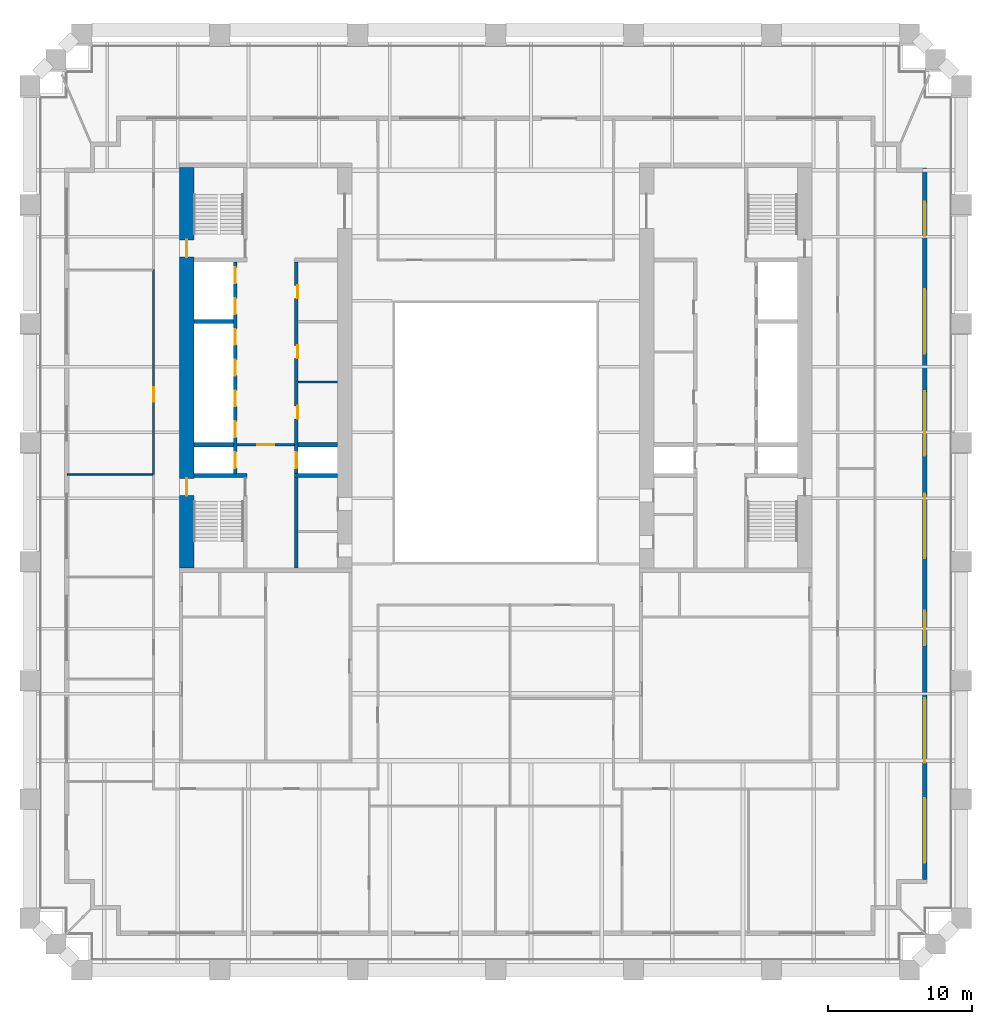
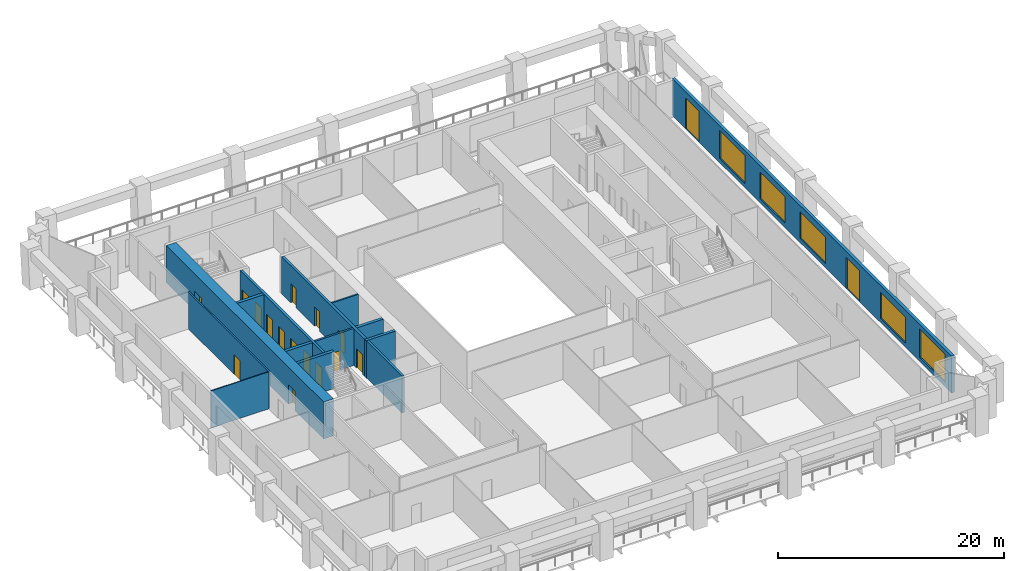
# One storey, part 5 of 9: 17 doors, 13 walls, 5 windows, 22 openings.
"""IFC4 building model written with IfcOpenShell, lengths in metres."""

from ifc_helpers import new_model, si_unit, direction, frame, frame_2d, origin, place, context, subcontext, project, spatial, rectangle, extrude, material, layer, layer_set, type_object, element, fill, save


model = new_model("IFC4")

# Units and contexts
model_context = context("Model", 3, precision=1e-05, world=origin(), true_north=direction((0.0, 1.0)))
body_context = subcontext(model_context, "Body", "Model", "MODEL_VIEW")
ifc_project = project(units=[si_unit("LENGTHUNIT", "METRE"), si_unit("AREAUNIT", "SQUARE_METRE"), si_unit("VOLUMEUNIT", "CUBIC_METRE"), si_unit("PLANEANGLEUNIT", "RADIAN"), si_unit("MASSUNIT", "GRAM", prefix="KILO")], contexts=[model_context])

# Site, building, storey
site_placement = place(None, origin())
site = spatial("IfcSite", under=ifc_project, at=site_placement, CompositionType="ELEMENT")
building_placement = place(site_placement, origin())
building = spatial("IfcBuilding", under=site, at=building_placement, Name="Ogive Exchange Tower", CompositionType="ELEMENT")
storey_placement = place(building_placement, frame((0.0, 0.0, 69.0)))
storey = spatial("IfcBuildingStorey", under=building, at=storey_placement, Name="L14", CompositionType="ELEMENT", Elevation=69.0)

# Wall
ifc_material_1 = material(Name="Gypsum board partition")
ifc_layer_1 = layer(ifc_material_1, 0.14990234375)
ifc_layer_set_1 = layer_set([ifc_layer_1], Name="Core room partition 150 gypsum")
wall_type_1 = type_object("IfcWallType", Name="Core room partition 150 gypsum", PredefinedType="PARTITIONING", material=ifc_layer_set_1)
wall_1_placement = place(storey_placement, frame((-13.75, 10.5, 0.0), z_axis=(0.0, 0.0, 1.0), x_axis=(1.0, 0.0, 0.0)))
element("IfcWall", 1, at=wall_1_placement, inside=storey, type_object=wall_type_1, Name="W row B bay partition 1-1", PredefinedType="PARTITIONING", context=body_context, shape_type="SweptSolid", body=[
    extrude(rectangle(XDim=2.75, YDim=0.14990234375, at=frame_2d((1.375, 0.0))), origin(), (0.0, 0.0, 1.0), 4.0),
])

# Wall, opening, door
ifc_material_2 = material(Name="Fire partition EI 60 150")
ifc_layer_2 = layer(ifc_material_2, 0.14990234375)
ifc_layer_set_2 = layer_set([ifc_layer_2], Name="Fire partition EI 60 150")
wall_type_2 = type_object("IfcWallType", Name="Fire partition EI 60 150", PredefinedType="PARTITIONING", material=ifc_layer_set_2)
wall_2_placement = place(storey_placement, frame((-23.800048828125, 4.06005859375, 0.0), z_axis=(0.0, 0.0, 1.0), x_axis=(0.0, 1.0, 0.0)))
wall_2 = element("IfcWall", 2, at=wall_2_placement, inside=storey, type_object=wall_type_2, Name="L14-PWL-009", PredefinedType="PARTITIONING", context=body_context, shape_type="SweptSolid", body=[
    extrude(rectangle(XDim=14.280029296875, YDim=0.14990234375, at=frame_2d((7.14013671875, 0.0))), origin(), (0.0, 0.0, 1.0), 4.0),
])
opening_1_placement = place(wall_2_placement, frame((5.080078125, 0.0, 0.0)))
opening_1 = element("IfcOpeningElement", 3, at=opening_1_placement, cuts=wall_2, Name="Opening L14-I13", PredefinedType="OPENING", context=body_context, shape_type="SweptSolid", body=[
    extrude(rectangle(XDim=1.0, YDim=2.10009765625, at=frame_2d((0.5, 1.050048828125))), frame((0.0, 0.0849609375, 0.0), z_axis=(0.0, -1.0, 0.0), x_axis=(1.0, 0.0, 0.0)), (0.0, 0.0, 1.0), 0.169921875),
])
ifc_material_3 = material(Name="Fire door FD 30S 1000 x 2100")
door_type_1 = type_object("IfcDoorType", Name="Fire door FD 30S 1000 x 2100", OperationType="NOTDEFINED", PredefinedType="DOOR", material=ifc_material_3)
door_1_placement = place(opening_1_placement, origin())
door_1 = element("IfcDoor", 4, at=door_1_placement, inside=storey, type_object=door_type_1, Name="L14-IDR-013", ObjectType="DT3", OperationType="SINGLE_SWING_LEFT", OverallHeight=2.10009765625, OverallWidth=1.0, PredefinedType="DOOR", context=body_context, shape_type="SweptSolid", body=[
    extrude(rectangle(XDim=1.0, YDim=2.10009765625, at=frame_2d((0.5, 1.050048828125))), frame((0.0, 0.02490234375, 0.0), z_axis=(0.0, -1.0, 0.0), x_axis=(1.0, 0.0, 0.0)), (0.0, 0.0, 1.0), 0.050048828125),
])
fill(opening_1, door_1)

# Wall, openings, doors, windows
ifc_material_4 = material(Name="Precast concrete C40/50", Category="concrete")
ifc_layer_3 = layer(ifc_material_4, 0.300048828125)
ifc_layer_set_3 = layer_set([ifc_layer_3], Name="Limestone-faced wall 300")
wall_type_3 = type_object("IfcWallType", Name="Limestone-faced wall 300", PredefinedType="STANDARD", material=ifc_layer_set_3)
wall_3_placement = place(storey_placement, frame((29.85009765625, -24.10009765625, 0.0), z_axis=(0.0, 0.0, 1.0), x_axis=(0.0, 1.0, 0.0)))
wall_3 = element("IfcWall", 5, at=wall_3_placement, inside=storey, type_object=wall_type_3, Name="External wall E2", PredefinedType="STANDARD", context=body_context, shape_type="SweptSolid", body=[
    extrude(rectangle(XDim=49.5, YDim=0.300048828125, at=frame_2d((24.75, 0.0))), origin(), (0.0, 0.0, 1.0), 4.0),
])
opening_2_placement = place(wall_3_placement, frame((1.156982421875, 0.0, 0.449951171875)))
opening_2 = element("IfcOpeningElement", 6, at=opening_2_placement, cuts=wall_3, Name="Opening W1", PredefinedType="OPENING", context=body_context, shape_type="SweptSolid", body=[
    extrude(rectangle(XDim=4.5, YDim=3.050048828125, at=frame_2d((2.25, 1.52490234375))), frame((0.0, 0.159912109375, 0.0), z_axis=(0.0, -1.0, 0.0), x_axis=(1.0, 0.0, 0.0)), (0.0, 0.0, 1.0), 0.320068359375),
])
opening_3_placement = place(wall_3_placement, frame((8.121337890625, 0.0, 0.449951171875)))
opening_3 = element("IfcOpeningElement", 7, at=opening_3_placement, cuts=wall_3, Name="Opening W1E", PredefinedType="OPENING", context=body_context, shape_type="SweptSolid", body=[
    extrude(rectangle(XDim=4.5, YDim=2.824951171875, at=frame_2d((2.25, 1.41259765625))), frame((0.0, 0.159912109375, 0.0), z_axis=(0.0, -1.0, 0.0), x_axis=(1.0, 0.0, 0.0)), (0.0, 0.0, 1.0), 0.320068359375),
])
opening_4_placement = place(wall_3_placement, frame((16.28564453125, 0.0, 0.0)))
opening_4 = element("IfcOpeningElement", 8, at=opening_4_placement, cuts=wall_3, Name="Opening D1C", PredefinedType="OPENING", context=body_context, shape_type="SweptSolid", body=[
    extrude(rectangle(XDim=2.39990234375, YDim=3.324951171875, at=frame_2d((1.199951171875, 1.66259765625))), frame((0.0, 0.159912109375, 0.0), z_axis=(0.0, -1.0, 0.0), x_axis=(1.0, 0.0, 0.0)), (0.0, 0.0, 1.0), 0.320068359375),
])
opening_5_placement = place(wall_3_placement, frame((22.35009765625, 0.0, 0.449951171875)))
opening_5 = element("IfcOpeningElement", 9, at=opening_5_placement, cuts=wall_3, Name="Opening W1D", PredefinedType="OPENING", context=body_context, shape_type="SweptSolid", body=[
    extrude(rectangle(XDim=4.5, YDim=2.875, at=frame_2d((2.25, 1.4375))), frame((0.0, 0.159912109375, 0.0), z_axis=(0.0, -1.0, 0.0), x_axis=(1.0, 0.0, 0.0)), (0.0, 0.0, 1.0), 0.320068359375),
])
opening_6_placement = place(wall_3_placement, frame((29.464111328125, 0.0, 0.449951171875)))
opening_6 = element("IfcOpeningElement", 10, at=opening_6_placement, cuts=wall_3, Name="Opening W1D", PredefinedType="OPENING", context=body_context, shape_type="SweptSolid", body=[
    extrude(rectangle(XDim=4.5, YDim=2.875, at=frame_2d((2.25, 1.4375))), frame((0.0, 0.159912109375, 0.0), z_axis=(0.0, -1.0, 0.0), x_axis=(1.0, 0.0, 0.0)), (0.0, 0.0, 1.0), 0.320068359375),
])
opening_7_placement = place(wall_3_placement, frame((36.57861328125, 0.0, 0.449951171875)))
opening_7 = element("IfcOpeningElement", 11, at=opening_7_placement, cuts=wall_3, Name="Opening W1", PredefinedType="OPENING", context=body_context, shape_type="SweptSolid", body=[
    extrude(rectangle(XDim=4.5, YDim=3.050048828125, at=frame_2d((2.25, 1.52490234375))), frame((0.0, 0.159912109375, 0.0), z_axis=(0.0, -1.0, 0.0), x_axis=(1.0, 0.0, 0.0)), (0.0, 0.0, 1.0), 0.320068359375),
])
opening_8_placement = place(wall_3_placement, frame((44.742919921875, 0.0, 0.0)))
opening_8 = element("IfcOpeningElement", 12, at=opening_8_placement, cuts=wall_3, Name="Opening D1C", PredefinedType="OPENING", context=body_context, shape_type="SweptSolid", body=[
    extrude(rectangle(XDim=2.39990234375, YDim=3.324951171875, at=frame_2d((1.199951171875, 1.66259765625))), frame((0.0, 0.159912109375, 0.0), z_axis=(0.0, -1.0, 0.0), x_axis=(1.0, 0.0, 0.0)), (0.0, 0.0, 1.0), 0.320068359375),
])
ifc_material_5 = material(Name="Clear glass in bronze frame", Category="glass")
door_type_2 = type_object("IfcDoorType", Name="Sliding loggia door 2400 x 3325", OperationType="DOUBLE_DOOR_SLIDING", PredefinedType="DOOR", material=ifc_material_5)
door_2_placement = place(opening_4_placement, origin())
door_2 = element("IfcDoor", 13, at=door_2_placement, inside=storey, type_object=door_type_2, Name="Loggia door E02", OperationType="DOUBLE_DOOR_SLIDING", OverallHeight=3.324951171875, OverallWidth=2.39990234375, PredefinedType="DOOR", context=body_context, shape_type="SweptSolid", body=[
    extrude(rectangle(XDim=2.39990234375, YDim=3.324951171875, at=frame_2d((1.199951171875, 1.66259765625))), frame((0.0, 0.02490234375, 0.0), z_axis=(0.0, -1.0, 0.0), x_axis=(1.0, 0.0, 0.0)), (0.0, 0.0, 1.0), 0.050048828125),
])
fill(opening_4, door_2)
door_3_placement = place(opening_8_placement, origin())
door_3 = element("IfcDoor", 14, at=door_3_placement, inside=storey, type_object=door_type_2, Name="Loggia door E06", OperationType="DOUBLE_DOOR_SLIDING", OverallHeight=3.324951171875, OverallWidth=2.39990234375, PredefinedType="DOOR", context=body_context, shape_type="SweptSolid", body=[
    extrude(rectangle(XDim=2.39990234375, YDim=3.324951171875, at=frame_2d((1.199951171875, 1.66259765625))), frame((0.0, 0.02490234375, 0.0), z_axis=(0.0, -1.0, 0.0), x_axis=(1.0, 0.0, 0.0)), (0.0, 0.0, 1.0), 0.050048828125),
])
fill(opening_8, door_3)
window_type_1 = type_object("IfcWindowType", Name="Twin lancet window 4500 x 2825", PartitioningType="DOUBLE_PANEL_VERTICAL", PredefinedType="WINDOW", material=ifc_material_5)
window_1_placement = place(opening_3_placement, origin())
window_1 = element("IfcWindow", 15, at=window_1_placement, inside=storey, type_object=window_type_1, Name="Window E01", OverallHeight=2.824951171875, OverallWidth=4.5, PartitioningType="DOUBLE_PANEL_VERTICAL", PredefinedType="WINDOW", context=body_context, shape_type="SweptSolid", body=[
    extrude(rectangle(XDim=4.5, YDim=2.824951171875, at=frame_2d((2.25, 1.41259765625))), frame((0.0, 0.030029296875, 0.0), z_axis=(0.0, -1.0, 0.0), x_axis=(1.0, 0.0, 0.0)), (0.0, 0.0, 1.0), 0.06005859375),
])
fill(opening_3, window_1)
window_type_2 = type_object("IfcWindowType", Name="Twin lancet window 4500 x 2875", PartitioningType="DOUBLE_PANEL_VERTICAL", PredefinedType="WINDOW", material=ifc_material_5)
window_2_placement = place(opening_5_placement, origin())
window_2 = element("IfcWindow", 16, at=window_2_placement, inside=storey, type_object=window_type_2, Name="Window E03", OverallHeight=2.875, OverallWidth=4.5, PartitioningType="DOUBLE_PANEL_VERTICAL", PredefinedType="WINDOW", context=body_context, shape_type="SweptSolid", body=[
    extrude(rectangle(XDim=4.5, YDim=2.875, at=frame_2d((2.25, 1.4375))), frame((0.0, 0.030029296875, 0.0), z_axis=(0.0, -1.0, 0.0), x_axis=(1.0, 0.0, 0.0)), (0.0, 0.0, 1.0), 0.06005859375),
])
fill(opening_5, window_2)
window_3_placement = place(opening_6_placement, origin())
window_3 = element("IfcWindow", 17, at=window_3_placement, inside=storey, type_object=window_type_2, Name="Window E04", OverallHeight=2.875, OverallWidth=4.5, PartitioningType="DOUBLE_PANEL_VERTICAL", PredefinedType="WINDOW", context=body_context, shape_type="SweptSolid", body=[
    extrude(rectangle(XDim=4.5, YDim=2.875, at=frame_2d((2.25, 1.4375))), frame((0.0, 0.030029296875, 0.0), z_axis=(0.0, -1.0, 0.0), x_axis=(1.0, 0.0, 0.0)), (0.0, 0.0, 1.0), 0.06005859375),
])
fill(opening_6, window_3)
window_type_3 = type_object("IfcWindowType", Name="Twin lancet window 4500 x 3050", PartitioningType="DOUBLE_PANEL_VERTICAL", PredefinedType="WINDOW", material=ifc_material_5)
window_4_placement = place(opening_2_placement, origin())
window_4 = element("IfcWindow", 18, at=window_4_placement, inside=storey, type_object=window_type_3, Name="Window E00", OverallHeight=3.050048828125, OverallWidth=4.5, PartitioningType="DOUBLE_PANEL_VERTICAL", PredefinedType="WINDOW", context=body_context, shape_type="SweptSolid", body=[
    extrude(rectangle(XDim=4.5, YDim=3.050048828125, at=frame_2d((2.25, 1.52490234375))), frame((0.0, 0.030029296875, 0.0), z_axis=(0.0, -1.0, 0.0), x_axis=(1.0, 0.0, 0.0)), (0.0, 0.0, 1.0), 0.06005859375),
])
fill(opening_2, window_4)
window_5_placement = place(opening_7_placement, origin())
window_5 = element("IfcWindow", 19, at=window_5_placement, inside=storey, type_object=window_type_3, Name="Window E05", OverallHeight=3.050048828125, OverallWidth=4.5, PartitioningType="DOUBLE_PANEL_VERTICAL", PredefinedType="WINDOW", context=body_context, shape_type="SweptSolid", body=[
    extrude(rectangle(XDim=4.5, YDim=3.050048828125, at=frame_2d((2.25, 1.52490234375))), frame((0.0, 0.030029296875, 0.0), z_axis=(0.0, -1.0, 0.0), x_axis=(1.0, 0.0, 0.0)), (0.0, 0.0, 1.0), 0.06005859375),
])
fill(opening_7, window_5)

# Wall
ifc_material_6 = material(Name="Partition 100 gypsum")
ifc_layer_4 = layer(ifc_material_6, 0.10009765625)
ifc_layer_set_4 = layer_set([ifc_layer_4], Name="Partition 100 gypsum")
wall_type_4 = type_object("IfcWallType", Name="Partition 100 gypsum", PredefinedType="PARTITIONING", material=ifc_layer_set_4)
wall_4_placement = place(storey_placement, frame((-23.875, 4.06005859375, 0.0), z_axis=(0.0, 0.0, 1.0), x_axis=(-1.0, 0.0, 0.0)))
element("IfcWall", 20, at=wall_4_placement, inside=storey, type_object=wall_type_4, Name="L14-PWL-008", PredefinedType="PARTITIONING", context=body_context, shape_type="SweptSolid", body=[
    extrude(rectangle(XDim=5.925048828125, YDim=0.10009765625, at=frame_2d((2.96240234375, 0.0))), origin(), (0.0, 0.0, 1.0), 4.0),
])

# Wall, openings, doors
ifc_material_7 = material(Name="Concrete C70/85", Category="concrete")
ifc_layer_5 = layer(ifc_material_7, 1.0)
ifc_layer_set_5 = layer_set([ifc_layer_5], Name="RC core wall 1000 C70/85")
wall_type_5 = type_object("IfcWallType", Name="RC core wall 1000 C70/85", PredefinedType="SHEAR", material=ifc_layer_set_5)
wall_5_placement = place(storey_placement, frame((-21.5, -2.449951171875, 0.0), z_axis=(0.0, 0.0, 1.0), x_axis=(0.0, 1.0, 0.0)))
wall_5 = element("IfcWall", 21, at=wall_5_placement, inside=storey, type_object=wall_type_5, Name="W outer wall", PredefinedType="SHEAR", context=body_context, shape_type="SweptSolid", body=[
    extrude(rectangle(XDim=27.89990234375, YDim=1.0, at=frame_2d((13.949951171875, 0.0))), origin(), (0.0, 0.0, 1.0), 4.0),
])
opening_9_placement = place(wall_5_placement, frame((5.050048828125, 0.0, 0.0)))
opening_9 = element("IfcOpeningElement", 22, at=opening_9_placement, cuts=wall_5, Name="Opening L14-C15", PredefinedType="OPENING", context=body_context, shape_type="SweptSolid", body=[
    extrude(rectangle(XDim=1.199951171875, YDim=2.10009765625, at=frame_2d((0.60009765625, 1.050048828125))), frame((0.0, 0.510009765625, 0.0), z_axis=(0.0, -1.0, 0.0), x_axis=(1.0, 0.0, 0.0)), (0.0, 0.0, 1.0), 1.02001953125),
])
opening_10_placement = place(wall_5_placement, frame((21.64990234375, 0.0, 0.0)))
opening_10 = element("IfcOpeningElement", 23, at=opening_10_placement, cuts=wall_5, Name="Opening L14-C17", PredefinedType="OPENING", context=body_context, shape_type="SweptSolid", body=[
    extrude(rectangle(XDim=1.199951171875, YDim=2.10009765625, at=frame_2d((0.60009765625, 1.050048828125))), frame((0.0, 0.510009765625, 0.0), z_axis=(0.0, -1.0, 0.0), x_axis=(1.0, 0.0, 0.0)), (0.0, 0.0, 1.0), 1.02001953125),
])
ifc_material_8 = material(Name="Steel fire door", Category="steel")
door_type_3 = type_object("IfcDoorType", Name="Stair door FD90 1200 x 2100", OperationType="NOTDEFINED", PredefinedType="DOOR", material=ifc_material_8)
door_4_placement = place(opening_9_placement, frame((1.199951171875, 0.0, 0.0), z_axis=(0.0, 0.0, 1.0), x_axis=(-1.0, 0.0, 0.0)))
door_4 = element("IfcDoor", 24, at=door_4_placement, inside=storey, type_object=door_type_3, Name="Stair door", ObjectType="CD5", OperationType="SINGLE_SWING_RIGHT", OverallHeight=2.10009765625, OverallWidth=1.199951171875, PredefinedType="DOOR", context=body_context, shape_type="SweptSolid", body=[
    extrude(rectangle(XDim=1.199951171875, YDim=2.10009765625, at=frame_2d((0.60009765625, 1.050048828125))), frame((0.0, 0.02490234375, 0.0), z_axis=(0.0, -1.0, 0.0), x_axis=(1.0, 0.0, 0.0)), (0.0, 0.0, 1.0), 0.050048828125),
])
fill(opening_9, door_4)
door_5_placement = place(opening_10_placement, frame((1.199951171875, 0.0, 0.0), z_axis=(0.0, 0.0, 1.0), x_axis=(-1.0, 0.0, 0.0)))
door_5 = element("IfcDoor", 25, at=door_5_placement, inside=storey, type_object=door_type_3, Name="Stair door", ObjectType="CD5", OperationType="SINGLE_SWING_LEFT", OverallHeight=2.10009765625, OverallWidth=1.199951171875, PredefinedType="DOOR", context=body_context, shape_type="SweptSolid", body=[
    extrude(rectangle(XDim=1.199951171875, YDim=2.10009765625, at=frame_2d((0.60009765625, 1.050048828125))), frame((0.0, 0.02490234375, 0.0), z_axis=(0.0, -1.0, 0.0), x_axis=(1.0, 0.0, 0.0)), (0.0, 0.0, 1.0), 0.050048828125),
])
fill(opening_10, door_5)

# Wall, opening, door
ifc_layer_6 = layer(ifc_material_7, 0.199951171875)
ifc_layer_set_6 = layer_set([ifc_layer_6], Name="RC core wall 200 C70/85")
wall_type_6 = type_object("IfcWallType", Name="RC core wall 200 C70/85", PredefinedType="SHEAR", material=ifc_layer_set_6)
wall_6_placement = place(storey_placement, frame((-18.0, 6.142822265625, 0.0), z_axis=(0.0, 0.0, 1.0), x_axis=(1.0, 0.0, 0.0)))
wall_6 = element("IfcWall", 26, at=wall_6_placement, inside=storey, type_object=wall_type_6, Name="W firefighting lobby wall", PredefinedType="SHEAR", context=body_context, shape_type="SweptSolid", body=[
    extrude(rectangle(XDim=4.0, YDim=0.199951171875, at=frame_2d((2.0, 0.0))), origin(), (0.0, 0.0, 1.0), 4.0),
])
opening_11_placement = place(wall_6_placement, frame((1.39990234375, 0.0, 0.0)))
opening_11 = element("IfcOpeningElement", 27, at=opening_11_placement, cuts=wall_6, Name="Opening L14-C12", PredefinedType="OPENING", context=body_context, shape_type="SweptSolid", body=[
    extrude(rectangle(XDim=1.199951171875, YDim=2.10009765625, at=frame_2d((0.60009765625, 1.050048828125))), frame((0.0, 0.10986328125, 0.0), z_axis=(0.0, -1.0, 0.0), x_axis=(1.0, 0.0, 0.0)), (0.0, 0.0, 1.0), 0.219970703125),
])
door_type_4 = type_object("IfcDoorType", Name="Firefighting lobby door FD60 1200 x 2100", OperationType="NOTDEFINED", PredefinedType="DOOR", material=ifc_material_8)
door_6_placement = place(opening_11_placement, frame((1.199951171875, 0.0, 0.0), z_axis=(0.0, 0.0, 1.0), x_axis=(-1.0, 0.0, 0.0)))
door_6 = element("IfcDoor", 28, at=door_6_placement, inside=storey, type_object=door_type_4, Name="Firefighting lobby door", ObjectType="CD3", OperationType="SINGLE_SWING_RIGHT", OverallHeight=2.10009765625, OverallWidth=1.199951171875, PredefinedType="DOOR", context=body_context, shape_type="SweptSolid", body=[
    extrude(rectangle(XDim=1.199951171875, YDim=2.10009765625, at=frame_2d((0.60009765625, 1.050048828125))), frame((0.0, 0.02490234375, 0.0), z_axis=(0.0, -1.0, 0.0), x_axis=(1.0, 0.0, 0.0)), (0.0, 0.0, 1.0), 0.050048828125),
])
fill(opening_11, door_6)

# Wall, openings, doors
ifc_layer_7 = layer(ifc_material_7, 0.25)
ifc_layer_set_7 = layer_set([ifc_layer_7], Name="RC core wall 250 C70/85")
wall_type_7 = type_object("IfcWallType", Name="RC core wall 250 C70/85", PredefinedType="SHEAR", material=ifc_layer_set_7)
wall_7_placement = place(storey_placement, frame((-18.125, 4.14990234375, 0.0), z_axis=(0.0, 0.0, 1.0), x_axis=(0.0, 1.0, 0.0)))
wall_7 = element("IfcWall", 29, at=wall_7_placement, inside=storey, type_object=wall_type_7, Name="W row A front wall", PredefinedType="SHEAR", context=body_context, shape_type="SweptSolid", body=[
    extrude(rectangle(XDim=14.7001953125, YDim=0.25, at=frame_2d((7.35009765625, 0.0))), origin(), (0.0, 0.0, 1.0), 4.0),
])
opening_12_placement = place(wall_7_placement, frame((0.371337890625, 0.0, 0.0)))
opening_12 = element("IfcOpeningElement", 30, at=opening_12_placement, cuts=wall_7, Name="Opening L14-C01", PredefinedType="OPENING", context=body_context, shape_type="SweptSolid", body=[
    extrude(rectangle(XDim=1.10009765625, YDim=2.10009765625, at=frame_2d((0.550048828125, 1.050048828125))), frame((0.0, 0.135009765625, 0.0), z_axis=(0.0, -1.0, 0.0), x_axis=(1.0, 0.0, 0.0)), (0.0, 0.0, 1.0), 0.27001953125),
])
opening_13_placement = place(wall_7_placement, frame((2.514404296875, 0.0, 0.0)))
opening_13 = element("IfcOpeningElement", 31, at=opening_13_placement, cuts=wall_7, Name="Opening L14-C02", PredefinedType="OPENING", context=body_context, shape_type="SweptSolid", body=[
    extrude(rectangle(XDim=1.10009765625, YDim=2.10009765625, at=frame_2d((0.550048828125, 1.050048828125))), frame((0.0, 0.135009765625, 0.0), z_axis=(0.0, -1.0, 0.0), x_axis=(1.0, 0.0, 0.0)), (0.0, 0.0, 1.0), 0.27001953125),
])
opening_14_placement = place(wall_7_placement, frame((4.656982421875, 0.0, 0.0)))
opening_14 = element("IfcOpeningElement", 32, at=opening_14_placement, cuts=wall_7, Name="Opening L14-C03", PredefinedType="OPENING", context=body_context, shape_type="SweptSolid", body=[
    extrude(rectangle(XDim=1.10009765625, YDim=2.10009765625, at=frame_2d((0.550048828125, 1.050048828125))), frame((0.0, 0.135009765625, 0.0), z_axis=(0.0, -1.0, 0.0), x_axis=(1.0, 0.0, 0.0)), (0.0, 0.0, 1.0), 0.27001953125),
])
opening_15_placement = place(wall_7_placement, frame((6.800048828125, 0.0, 0.0)))
opening_15 = element("IfcOpeningElement", 33, at=opening_15_placement, cuts=wall_7, Name="Opening L14-C04", PredefinedType="OPENING", context=body_context, shape_type="SweptSolid", body=[
    extrude(rectangle(XDim=1.10009765625, YDim=2.10009765625, at=frame_2d((0.550048828125, 1.050048828125))), frame((0.0, 0.135009765625, 0.0), z_axis=(0.0, -1.0, 0.0), x_axis=(1.0, 0.0, 0.0)), (0.0, 0.0, 1.0), 0.27001953125),
])
opening_16_placement = place(wall_7_placement, frame((8.94287109375, 0.0, 0.0)))
opening_16 = element("IfcOpeningElement", 34, at=opening_16_placement, cuts=wall_7, Name="Opening L14-C05", PredefinedType="OPENING", context=body_context, shape_type="SweptSolid", body=[
    extrude(rectangle(XDim=1.10009765625, YDim=2.10009765625, at=frame_2d((0.550048828125, 1.050048828125))), frame((0.0, 0.135009765625, 0.0), z_axis=(0.0, -1.0, 0.0), x_axis=(1.0, 0.0, 0.0)), (0.0, 0.0, 1.0), 0.27001953125),
])
opening_17_placement = place(wall_7_placement, frame((11.085693359375, 0.0, 0.0)))
opening_17 = element("IfcOpeningElement", 35, at=opening_17_placement, cuts=wall_7, Name="Opening L14-C06", PredefinedType="OPENING", context=body_context, shape_type="SweptSolid", body=[
    extrude(rectangle(XDim=1.10009765625, YDim=2.10009765625, at=frame_2d((0.550048828125, 1.050048828125))), frame((0.0, 0.135009765625, 0.0), z_axis=(0.0, -1.0, 0.0), x_axis=(1.0, 0.0, 0.0)), (0.0, 0.0, 1.0), 0.27001953125),
])
opening_18_placement = place(wall_7_placement, frame((13.228515625, 0.0, 0.0)))
opening_18 = element("IfcOpeningElement", 36, at=opening_18_placement, cuts=wall_7, Name="Opening L14-C07", PredefinedType="OPENING", context=body_context, shape_type="SweptSolid", body=[
    extrude(rectangle(XDim=1.10009765625, YDim=2.10009765625, at=frame_2d((0.550048828125, 1.050048828125))), frame((0.0, 0.135009765625, 0.0), z_axis=(0.0, -1.0, 0.0), x_axis=(1.0, 0.0, 0.0)), (0.0, 0.0, 1.0), 0.27001953125),
])
ifc_material_9 = material(Name="Stainless steel", Category="steel")
door_type_5 = type_object("IfcDoorType", Name="Lift landing door FD90 1100 x 2100", OperationType="SLIDING_TO_LEFT", PredefinedType="DOOR", material=ifc_material_9)
door_7_placement = place(opening_12_placement, origin())
door_7 = element("IfcDoor", 37, at=door_7_placement, inside=storey, type_object=door_type_5, Name="Lift landing door FF1", ObjectType="LD", OperationType="SLIDING_TO_LEFT", OverallHeight=2.10009765625, OverallWidth=1.10009765625, PredefinedType="DOOR", context=body_context, shape_type="SweptSolid", body=[
    extrude(rectangle(XDim=1.10009765625, YDim=2.10009765625, at=frame_2d((0.550048828125, 1.050048828125))), frame((0.0, 0.02490234375, 0.0), z_axis=(0.0, -1.0, 0.0), x_axis=(1.0, 0.0, 0.0)), (0.0, 0.0, 1.0), 0.050048828125),
])
fill(opening_12, door_7)
door_8_placement = place(opening_13_placement, origin())
door_8 = element("IfcDoor", 38, at=door_8_placement, inside=storey, type_object=door_type_5, Name="Lift landing door W-L1", ObjectType="LD", OperationType="SLIDING_TO_LEFT", OverallHeight=2.10009765625, OverallWidth=1.10009765625, PredefinedType="DOOR", context=body_context, shape_type="SweptSolid", body=[
    extrude(rectangle(XDim=1.10009765625, YDim=2.10009765625, at=frame_2d((0.550048828125, 1.050048828125))), frame((0.0, 0.02490234375, 0.0), z_axis=(0.0, -1.0, 0.0), x_axis=(1.0, 0.0, 0.0)), (0.0, 0.0, 1.0), 0.050048828125),
])
fill(opening_13, door_8)
door_9_placement = place(opening_14_placement, origin())
door_9 = element("IfcDoor", 39, at=door_9_placement, inside=storey, type_object=door_type_5, Name="Lift landing door W-L2", ObjectType="LD", OperationType="SLIDING_TO_LEFT", OverallHeight=2.10009765625, OverallWidth=1.10009765625, PredefinedType="DOOR", context=body_context, shape_type="SweptSolid", body=[
    extrude(rectangle(XDim=1.10009765625, YDim=2.10009765625, at=frame_2d((0.550048828125, 1.050048828125))), frame((0.0, 0.02490234375, 0.0), z_axis=(0.0, -1.0, 0.0), x_axis=(1.0, 0.0, 0.0)), (0.0, 0.0, 1.0), 0.050048828125),
])
fill(opening_14, door_9)
door_10_placement = place(opening_15_placement, origin())
door_10 = element("IfcDoor", 40, at=door_10_placement, inside=storey, type_object=door_type_5, Name="Lift landing door W-L3", ObjectType="LD", OperationType="SLIDING_TO_LEFT", OverallHeight=2.10009765625, OverallWidth=1.10009765625, PredefinedType="DOOR", context=body_context, shape_type="SweptSolid", body=[
    extrude(rectangle(XDim=1.10009765625, YDim=2.10009765625, at=frame_2d((0.550048828125, 1.050048828125))), frame((0.0, 0.02490234375, 0.0), z_axis=(0.0, -1.0, 0.0), x_axis=(1.0, 0.0, 0.0)), (0.0, 0.0, 1.0), 0.050048828125),
])
fill(opening_15, door_10)
door_11_placement = place(opening_16_placement, origin())
door_11 = element("IfcDoor", 41, at=door_11_placement, inside=storey, type_object=door_type_5, Name="Lift landing door W-L4", ObjectType="LD", OperationType="SLIDING_TO_LEFT", OverallHeight=2.10009765625, OverallWidth=1.10009765625, PredefinedType="DOOR", context=body_context, shape_type="SweptSolid", body=[
    extrude(rectangle(XDim=1.10009765625, YDim=2.10009765625, at=frame_2d((0.550048828125, 1.050048828125))), frame((0.0, 0.02490234375, 0.0), z_axis=(0.0, -1.0, 0.0), x_axis=(1.0, 0.0, 0.0)), (0.0, 0.0, 1.0), 0.050048828125),
])
fill(opening_16, door_11)
door_12_placement = place(opening_17_placement, origin())
door_12 = element("IfcDoor", 42, at=door_12_placement, inside=storey, type_object=door_type_5, Name="Lift landing door W-SH1", ObjectType="LD", OperationType="SLIDING_TO_LEFT", OverallHeight=2.10009765625, OverallWidth=1.10009765625, PredefinedType="DOOR", context=body_context, shape_type="SweptSolid", body=[
    extrude(rectangle(XDim=1.10009765625, YDim=2.10009765625, at=frame_2d((0.550048828125, 1.050048828125))), frame((0.0, 0.02490234375, 0.0), z_axis=(0.0, -1.0, 0.0), x_axis=(1.0, 0.0, 0.0)), (0.0, 0.0, 1.0), 0.050048828125),
])
fill(opening_17, door_12)
door_13_placement = place(opening_18_placement, origin())
door_13 = element("IfcDoor", 43, at=door_13_placement, inside=storey, type_object=door_type_5, Name="Lift landing door W-SH2", ObjectType="LD", OperationType="SLIDING_TO_LEFT", OverallHeight=2.10009765625, OverallWidth=1.10009765625, PredefinedType="DOOR", context=body_context, shape_type="SweptSolid", body=[
    extrude(rectangle(XDim=1.10009765625, YDim=2.10009765625, at=frame_2d((0.550048828125, 1.050048828125))), frame((0.0, 0.02490234375, 0.0), z_axis=(0.0, -1.0, 0.0), x_axis=(1.0, 0.0, 0.0)), (0.0, 0.0, 1.0), 0.050048828125),
])
fill(opening_18, door_13)

wall_8_placement = place(storey_placement, frame((-13.875, -2.449951171875, 0.0), z_axis=(0.0, 0.0, 1.0), x_axis=(0.0, 1.0, 0.0)))
wall_8 = element("IfcWall", 44, at=wall_8_placement, inside=storey, type_object=wall_type_7, Name="W row B front wall", PredefinedType="SHEAR", context=body_context, shape_type="SweptSolid", body=[
    extrude(rectangle(XDim=21.300048828125, YDim=0.25, at=frame_2d((10.64990234375, 0.0))), origin(), (0.0, 0.0, 1.0), 4.0),
])
opening_19_placement = place(wall_8_placement, frame((10.396484375, 0.0, 0.0)))
opening_19 = element("IfcOpeningElement", 45, at=opening_19_placement, cuts=wall_8, Name="Opening L14-C08", PredefinedType="OPENING", context=body_context, shape_type="SweptSolid", body=[
    extrude(rectangle(XDim=0.89990234375, YDim=2.10009765625, at=frame_2d((0.449951171875, 1.050048828125))), frame((0.0, 0.135009765625, 0.0), z_axis=(0.0, -1.0, 0.0), x_axis=(1.0, 0.0, 0.0)), (0.0, 0.0, 1.0), 0.27001953125),
])
opening_20_placement = place(wall_8_placement, frame((14.60009765625, 0.0, 0.0)))
opening_20 = element("IfcOpeningElement", 46, at=opening_20_placement, cuts=wall_8, Name="Opening L14-C09", PredefinedType="OPENING", context=body_context, shape_type="SweptSolid", body=[
    extrude(rectangle(XDim=0.89990234375, YDim=2.10009765625, at=frame_2d((0.449951171875, 1.050048828125))), frame((0.0, 0.135009765625, 0.0), z_axis=(0.0, -1.0, 0.0), x_axis=(1.0, 0.0, 0.0)), (0.0, 0.0, 1.0), 0.27001953125),
])
opening_21_placement = place(wall_8_placement, frame((18.77490234375, 0.0, 0.0)))
opening_21 = element("IfcOpeningElement", 47, at=opening_21_placement, cuts=wall_8, Name="Opening L14-C10", PredefinedType="OPENING", context=body_context, shape_type="SweptSolid", body=[
    extrude(rectangle(XDim=0.89990234375, YDim=2.10009765625, at=frame_2d((0.449951171875, 1.050048828125))), frame((0.0, 0.135009765625, 0.0), z_axis=(0.0, -1.0, 0.0), x_axis=(1.0, 0.0, 0.0)), (0.0, 0.0, 1.0), 0.27001953125),
])
opening_22_placement = place(wall_8_placement, frame((6.971435546875, 0.0, 0.0)))
opening_22 = element("IfcOpeningElement", 48, at=opening_22_placement, cuts=wall_8, Name="Opening L14-C11", PredefinedType="OPENING", context=body_context, shape_type="SweptSolid", body=[
    extrude(rectangle(XDim=1.10009765625, YDim=2.10009765625, at=frame_2d((0.550048828125, 1.050048828125))), frame((0.0, 0.135009765625, 0.0), z_axis=(0.0, -1.0, 0.0), x_axis=(1.0, 0.0, 0.0)), (0.0, 0.0, 1.0), 0.27001953125),
])
door_14_placement = place(opening_22_placement, origin())
door_14 = element("IfcDoor", 49, at=door_14_placement, inside=storey, type_object=door_type_5, Name="Lift landing door SV1", ObjectType="LD", OperationType="SLIDING_TO_LEFT", OverallHeight=2.10009765625, OverallWidth=1.10009765625, PredefinedType="DOOR", context=body_context, shape_type="SweptSolid", body=[
    extrude(rectangle(XDim=1.10009765625, YDim=2.10009765625, at=frame_2d((0.550048828125, 1.050048828125))), frame((0.0, 0.02490234375, 0.0), z_axis=(0.0, -1.0, 0.0), x_axis=(1.0, 0.0, 0.0)), (0.0, 0.0, 1.0), 0.050048828125),
])
fill(opening_22, door_14)
door_type_6 = type_object("IfcDoorType", Name="Riser door FD60 900 x 2100", OperationType="NOTDEFINED", PredefinedType="DOOR", material=ifc_material_8)
door_15_placement = place(opening_19_placement, frame((0.89990234375, -0.2001953125, 0.0), z_axis=(0.0, 0.0, 1.0), x_axis=(-1.0, 0.0, 0.0)))
door_15 = element("IfcDoor", 50, at=door_15_placement, inside=storey, type_object=door_type_6, Name="Riser door", ObjectType="CD2", OperationType="SINGLE_SWING_LEFT", OverallHeight=2.10009765625, OverallWidth=0.89990234375, PredefinedType="DOOR", context=body_context, shape_type="SweptSolid", body=[
    extrude(rectangle(XDim=0.89990234375, YDim=2.10009765625, at=frame_2d((0.449951171875, 1.050048828125))), frame((0.0, -0.0751953125, 0.0), z_axis=(0.0, -1.0, 0.0), x_axis=(1.0, 0.0, 0.0)), (0.0, 0.0, 1.0), 0.050048828125),
])
fill(opening_19, door_15)
door_16_placement = place(opening_20_placement, frame((0.89990234375, -0.2001953125, 0.0), z_axis=(0.0, 0.0, 1.0), x_axis=(-1.0, 0.0, 0.0)))
door_16 = element("IfcDoor", 51, at=door_16_placement, inside=storey, type_object=door_type_6, Name="Riser door", ObjectType="CD2", OperationType="SINGLE_SWING_LEFT", OverallHeight=2.10009765625, OverallWidth=0.89990234375, PredefinedType="DOOR", context=body_context, shape_type="SweptSolid", body=[
    extrude(rectangle(XDim=0.89990234375, YDim=2.10009765625, at=frame_2d((0.449951171875, 1.050048828125))), frame((0.0, -0.0751953125, 0.0), z_axis=(0.0, -1.0, 0.0), x_axis=(1.0, 0.0, 0.0)), (0.0, 0.0, 1.0), 0.050048828125),
])
fill(opening_20, door_16)
door_17_placement = place(opening_21_placement, frame((0.89990234375, -0.2001953125, 0.0), z_axis=(0.0, 0.0, 1.0), x_axis=(-1.0, 0.0, 0.0)))
door_17 = element("IfcDoor", 52, at=door_17_placement, inside=storey, type_object=door_type_6, Name="Riser door", ObjectType="CD2", OperationType="SINGLE_SWING_RIGHT", OverallHeight=2.10009765625, OverallWidth=0.89990234375, PredefinedType="DOOR", context=body_context, shape_type="SweptSolid", body=[
    extrude(rectangle(XDim=0.89990234375, YDim=2.10009765625, at=frame_2d((0.449951171875, 1.050048828125))), frame((0.0, -0.0751953125, 0.0), z_axis=(0.0, -1.0, 0.0), x_axis=(1.0, 0.0, 0.0)), (0.0, 0.0, 1.0), 0.050048828125),
])
fill(opening_21, door_17)

# Walls
ifc_layer_8 = layer(ifc_material_7, 0.300048828125)
ifc_layer_set_8 = layer_set([ifc_layer_8], Name="RC core wall 300 C70/85")
wall_type_8 = type_object("IfcWallType", Name="RC core wall 300 C70/85", PredefinedType="SHEAR", material=ifc_layer_set_8)
wall_9_placement = place(storey_placement, frame((-21.0, 4.0, 0.0), z_axis=(0.0, 0.0, 1.0), x_axis=(1.0, 0.0, 0.0)))
element("IfcWall", 53, at=wall_9_placement, inside=storey, type_object=wall_type_8, Name="W stair S north wall", PredefinedType="SHEAR", context=body_context, shape_type="SweptSolid", body=[
    extrude(rectangle(XDim=3.699951171875, YDim=0.300048828125, at=frame_2d((1.85009765625, 0.0))), origin(), (0.0, 0.0, 1.0), 4.0),
])
for number, where, z_axis, x_axis, name in (
    (54, (-21.0, 6.142822265625, 0.0), (0.0, 0.0, 1.0), (1.0, 0.0, 0.0), "W row A divider 1"),
    (55, (-21.0, 14.71435546875, 0.0), (0.0, 0.0, 1.0), (1.0, 0.0, 0.0), "W row A divider 5"),
):
    element("IfcWall", number, at=place(storey_placement, frame(where, z_axis=z_axis, x_axis=x_axis)), inside=storey, type_object=wall_type_8, Name=name, PredefinedType="SHEAR", context=body_context, shape_type="SweptSolid", body=[
        extrude(rectangle(XDim=2.75, YDim=0.300048828125, at=frame_2d((1.375, 0.0))), origin(), (0.0, 0.0, 1.0), 4.0),
    ])
wall_10_placement = place(storey_placement, frame((-14.0, 4.0, 0.0), z_axis=(0.0, 0.0, 1.0), x_axis=(1.0, 0.0, 0.0)))
element("IfcWall", 56, at=wall_10_placement, inside=storey, type_object=wall_type_8, Name="W row B divider 0", PredefinedType="SHEAR", context=body_context, shape_type="SweptSolid", body=[
    extrude(rectangle(XDim=3.0, YDim=0.300048828125, at=frame_2d((1.5, 0.0))), origin(), (0.0, 0.0, 1.0), 4.0),
])
wall_11_placement = place(storey_placement, frame((-13.75, 6.142822265625, 0.0), z_axis=(0.0, 0.0, 1.0), x_axis=(1.0, 0.0, 0.0)))
element("IfcWall", 57, at=wall_11_placement, inside=storey, type_object=wall_type_8, Name="W row B divider 1", PredefinedType="SHEAR", context=body_context, shape_type="SweptSolid", body=[
    extrude(rectangle(XDim=2.75, YDim=0.300048828125, at=frame_2d((1.375, 0.0))), origin(), (0.0, 0.0, 1.0), 4.0),
])

save(model, "model.ifc")
